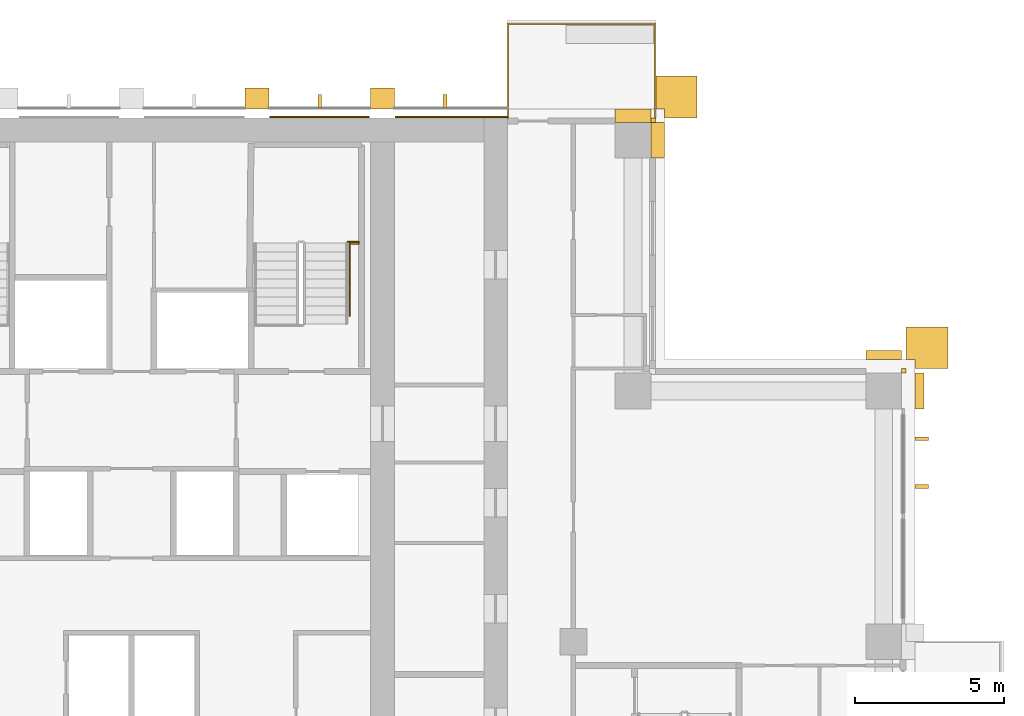
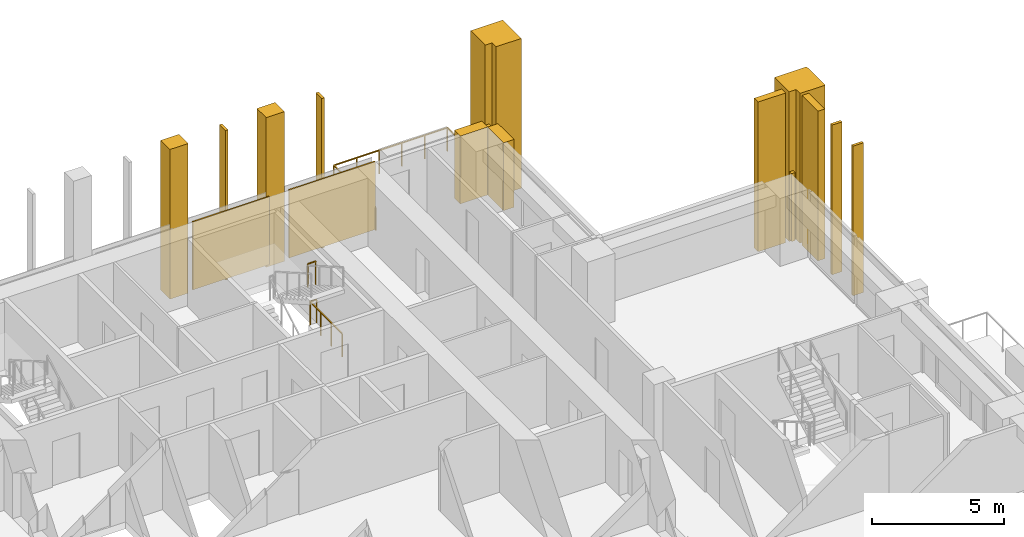
# One storey, part 19 of 19: 16 coverings, 3 railings.
"""IFC4 building model written with IfcOpenShell, lengths in metres."""

from ifc_helpers import new_model, si_unit, direction, frame, origin, origin_2d, place, context, subcontext, project, spatial, polyline, rectangle, outline, extrude, material, layer, layer_set, type_object, element, save


model = new_model("IFC4")

# Units and contexts
model_context = context("Model", 3, precision=1e-05, world=origin(), true_north=direction((0.0, 1.0)))
body_context = subcontext(model_context, "Body", "Model", "MODEL_VIEW")
ifc_project = project(units=[si_unit("LENGTHUNIT", "METRE"), si_unit("AREAUNIT", "SQUARE_METRE"), si_unit("VOLUMEUNIT", "CUBIC_METRE"), si_unit("PLANEANGLEUNIT", "RADIAN"), si_unit("MASSUNIT", "GRAM", prefix="KILO")], contexts=[model_context])

# Site, building, storey
site_placement = place(None, origin())
site = spatial("IfcSite", under=ifc_project, at=site_placement, CompositionType="ELEMENT")
building_placement = place(site_placement, origin())
building = spatial("IfcBuilding", under=site, at=building_placement, Name="Vermilion Ogive Tower", CompositionType="ELEMENT")
storey_placement = place(building_placement, frame((0.0, 0.0, 104.550048828125)))
storey = spatial("IfcBuildingStorey", under=building, at=storey_placement, Name="L26", CompositionType="ELEMENT", Elevation=104.550048828125)

# Railing
ifc_material_1 = material(Name="Stainless steel and glass", Category="steel")
railing_type_1 = type_object("IfcRailingType", Name="Balcony guard", PredefinedType="GUARDRAIL", material=ifc_material_1)
railing_1_placement = place(storey_placement, frame((17.550048828125, 21.75, -0.0400390625)))
element("IfcRailing", 1, at=railing_1_placement, inside=storey, type_object=railing_type_1, Name="Guard N101", PredefinedType="GUARDRAIL", context=body_context, shape_type="SweptSolid", body=[
    extrude(rectangle(XDim=0.048095703125, YDim=0.048095703125, at=origin_2d()), frame((0.0, 0.0, 1.076171875), z_axis=(0.0, 1.0, 0.0), x_axis=(-1.0, 0.0, 0.0)), (0.0, 0.0, 1.0), 3.159912109375),
    extrude(rectangle(XDim=0.048095703125, YDim=0.048095703125, at=origin_2d()), frame((0.0, 3.159912109375, 1.076171875), z_axis=(-1.0, 0.0, 0.0), x_axis=(0.0, -1.0, 0.0)), (0.0, 0.0, 1.0), 4.949951171875),
    extrude(rectangle(XDim=0.048095703125, YDim=0.048095703125, at=origin_2d()), frame((-4.949951171875, 3.159912109375, 1.076171875), z_axis=(0.0, -1.0, 0.0), x_axis=(1.0, 0.0, 0.0)), (0.0, 0.0, 1.0), 3.159912109375),
    extrude(rectangle(XDim=0.0419921875, YDim=0.0419921875, at=origin_2d()), origin(), (0.0, 0.0, 1.0), 1.052001953125),
    extrude(rectangle(XDim=0.0419921875, YDim=0.0419921875, at=origin_2d()), frame((0.0, 1.05322265625, 0.0)), (0.0, 0.0, 1.0), 1.052001953125),
    extrude(rectangle(XDim=0.0419921875, YDim=0.0419921875, at=origin_2d()), frame((0.0, 2.106689453125, 0.0)), (0.0, 0.0, 1.0), 1.052001953125),
    extrude(rectangle(XDim=0.0419921875, YDim=0.0419921875, at=origin_2d()), frame((0.0, 3.159912109375, 0.0)), (0.0, 0.0, 1.0), 1.052001953125),
    extrude(rectangle(XDim=0.0419921875, YDim=0.0419921875, at=origin_2d()), frame((-0.989990234375, 3.159912109375, 0.0)), (0.0, 0.0, 1.0), 1.052001953125),
    extrude(rectangle(XDim=0.0419921875, YDim=0.0419921875, at=origin_2d()), frame((-1.97998046875, 3.159912109375, 0.0)), (0.0, 0.0, 1.0), 1.052001953125),
    extrude(rectangle(XDim=0.0419921875, YDim=0.0419921875, at=origin_2d()), frame((-2.969970703125, 3.159912109375, 0.0)), (0.0, 0.0, 1.0), 1.052001953125),
    extrude(rectangle(XDim=0.0419921875, YDim=0.0419921875, at=origin_2d()), frame((-3.9599609375, 3.159912109375, 0.0)), (0.0, 0.0, 1.0), 1.052001953125),
    extrude(rectangle(XDim=0.0419921875, YDim=0.0419921875, at=origin_2d()), frame((-4.949951171875, 3.159912109375, 0.0)), (0.0, 0.0, 1.0), 1.052001953125),
    extrude(rectangle(XDim=0.0419921875, YDim=0.0419921875, at=origin_2d()), frame((-4.949951171875, 2.106689453125, 0.0)), (0.0, 0.0, 1.0), 1.052001953125),
    extrude(rectangle(XDim=0.0419921875, YDim=0.0419921875, at=origin_2d()), frame((-4.949951171875, 1.05322265625, 0.0)), (0.0, 0.0, 1.0), 1.052001953125),
    extrude(rectangle(XDim=0.0419921875, YDim=0.0419921875, at=origin_2d()), frame((-4.949951171875, 0.0, 0.0)), (0.0, 0.0, 1.0), 1.052001953125),
])

# Coverings
ifc_material_2 = material(Name="Glazed ceramic screen")
ifc_layer = layer(ifc_material_2, 0.14990234375)
ifc_layer_set = layer_set([ifc_layer], Name="Ceramic solar screen fin")
covering_type_1 = type_object("IfcCoveringType", Name="Ceramic solar screen fin", PredefinedType="CLADDING", material=ifc_layer_set)
covering_1_placement = place(storey_placement, frame((0.0, 0.0, -0.320068359375)))
element("IfcCovering", 2, at=covering_1_placement, inside=storey, type_object=covering_type_1, Name="Solar screen blade E021", PredefinedType="CLADDING", context=body_context, shape_type="SweptSolid", body=[
    extrude(outline(polyline([(26.699951171875, 9.340087890625), (26.699951171875, 9.4599609375), (26.25, 9.4599609375), (26.25, 9.340087890625), (26.699951171875, 9.340087890625)])), origin(), (0.0, 0.0, 1.0), 6.89990234375),
])
covering_2_placement = place(storey_placement, frame((0.0, 0.0, -0.320068359375)))
element("IfcCovering", 3, at=covering_2_placement, inside=storey, type_object=covering_type_1, Name="Solar screen blade E022", PredefinedType="CLADDING", context=body_context, shape_type="SweptSolid", body=[
    extrude(outline(polyline([(26.699951171875, 10.93994140625), (26.699951171875, 11.06005859375), (26.25, 11.06005859375), (26.25, 10.93994140625), (26.699951171875, 10.93994140625)])), origin(), (0.0, 0.0, 1.0), 6.89990234375),
])
covering_3_placement = place(storey_placement, frame((0.0, 0.0, -0.320068359375)))
element("IfcCovering", 4, at=covering_3_placement, inside=storey, type_object=covering_type_1, Name="Solar screen blade N5", PredefinedType="CLADDING", context=body_context, shape_type="SweptSolid", body=[
    extrude(outline(polyline([(6.239990234375, 22.08203125), (6.360107421875, 22.08203125), (6.360107421875, 22.531982421875), (6.239990234375, 22.531982421875), (6.239990234375, 22.08203125)])), origin(), (0.0, 0.0, 1.0), 6.89990234375),
])
covering_4_placement = place(storey_placement, frame((0.0, 0.0, -0.320068359375)))
element("IfcCovering", 5, at=covering_4_placement, inside=storey, type_object=covering_type_1, Name="Solar screen blade N6", PredefinedType="CLADDING", context=body_context, shape_type="SweptSolid", body=[
    extrude(outline(polyline([(10.43994140625, 22.08203125), (10.56005859375, 22.08203125), (10.56005859375, 22.531982421875), (10.43994140625, 22.531982421875), (10.43994140625, 22.08203125)])), origin(), (0.0, 0.0, 1.0), 6.89990234375),
])

# Railings
ifc_material_3 = material(Name="Steel S355 painted", Category="steel")
railing_type_2 = type_object("IfcRailingType", Name="Stair guard 1100", PredefinedType="GUARDRAIL", material=ifc_material_3)
railing_2_placement = place(storey_placement, frame((7.25, 17.60009765625, 1.724853515625)))
element("IfcRailing", 6, at=railing_2_placement, inside=storey, type_object=railing_type_2, Name="L26 landing guard", PredefinedType="GUARDRAIL", context=body_context, shape_type="SweptSolid", body=[
    extrude(rectangle(XDim=0.048095703125, YDim=0.048095703125, at=origin_2d()), frame((0.0, 0.0, 1.076171875), z_axis=(1.0, 0.0, 0.0), x_axis=(0.0, 1.0, 0.0)), (0.0, 0.0, 1.0), 0.35009765625),
    extrude(rectangle(XDim=0.0419921875, YDim=0.0419921875, at=origin_2d()), origin(), (0.0, 0.0, 1.0), 1.052001953125),
    extrude(rectangle(XDim=0.0419921875, YDim=0.0419921875, at=origin_2d()), frame((0.35009765625, 0.0, 0.0)), (0.0, 0.0, 1.0), 1.052001953125),
])
railing_3_placement = place(storey_placement, frame((7.599609375, 17.54296875, 0.0)))
element("IfcRailing", 7, at=railing_3_placement, inside=storey, type_object=railing_type_2, Name="L26 stair opening guard", PredefinedType="GUARDRAIL", context=body_context, shape_type="SweptSolid", body=[
    extrude(rectangle(XDim=0.048095703125, YDim=0.048095703125, at=origin_2d()), frame((0.0, 0.0, 1.076171875), z_axis=(-1.0, 0.0, 0.0), x_axis=(0.0, -1.0, 0.0)), (0.0, 0.0, 1.0), 0.2900390625),
    extrude(rectangle(XDim=0.048095703125, YDim=0.048095703125, at=origin_2d()), frame((-0.2900390625, 0.0, 1.076171875), z_axis=(0.0, -1.0, 0.0), x_axis=(1.0, 0.0, 0.0)), (0.0, 0.0, 1.0), 2.42431640625),
    extrude(rectangle(XDim=0.0419921875, YDim=0.0419921875, at=origin_2d()), origin(), (0.0, 0.0, 1.0), 1.052001953125),
    extrude(rectangle(XDim=0.0419921875, YDim=0.0419921875, at=origin_2d()), frame((-0.2900390625, 0.0, 0.0)), (0.0, 0.0, 1.0), 1.052001953125),
    extrude(rectangle(XDim=0.0419921875, YDim=0.0419921875, at=origin_2d()), frame((-0.2900390625, -0.80810546875, 0.0)), (0.0, 0.0, 1.0), 1.052001953125),
    extrude(rectangle(XDim=0.0419921875, YDim=0.0419921875, at=origin_2d()), frame((-0.2900390625, -1.6162109375, 0.0)), (0.0, 0.0, 1.0), 1.052001953125),
    extrude(rectangle(XDim=0.0419921875, YDim=0.0419921875, at=origin_2d()), frame((-0.2900390625, -2.42431640625, 0.0)), (0.0, 0.0, 1.0), 1.052001953125),
])

# Coverings
ifc_material_4 = material(Name="Stone cladding", Category="masonry")
covering_type_2 = type_object("IfcCoveringType", Name="Stone buttress pier", PredefinedType="CLADDING", material=ifc_material_4)
covering_5_placement = place(storey_placement, frame((0.0, 0.0, -0.320068359375)))
element("IfcCovering", 8, at=covering_5_placement, inside=storey, type_object=covering_type_2, Name="Stone buttress pier N4", PredefinedType="CLADDING", context=body_context, shape_type="SweptSolid", body=[
    extrude(outline(polyline([(4.60009765625, 22.75), (4.60009765625, 22.050048828125), (3.800048828125, 22.050048828125), (3.800048828125, 22.75), (4.60009765625, 22.75)])), origin(), (0.0, 0.0, 1.0), 6.89990234375),
])
covering_6_placement = place(storey_placement, frame((0.0, 0.0, -0.320068359375)))
element("IfcCovering", 9, at=covering_6_placement, inside=storey, type_object=covering_type_2, Name="Stone buttress pier N5", PredefinedType="CLADDING", context=body_context, shape_type="SweptSolid", body=[
    extrude(outline(polyline([(8.800048828125, 22.75), (8.800048828125, 22.050048828125), (8.0, 22.050048828125), (8.0, 22.75), (8.800048828125, 22.75)])), origin(), (0.0, 0.0, 1.0), 6.89990234375),
])
ifc_material_5 = material(Name="Stone cladding", Category="masonry")
covering_type_3 = type_object("IfcCoveringType", Name="Stone cladding panel", PredefinedType="CLADDING", material=ifc_material_5)
covering_7_placement = place(storey_placement, origin())
element("IfcCovering", 10, at=covering_7_placement, inside=storey, type_object=covering_type_3, Name="Stone cladding panel N5", PredefinedType="CLADDING", context=body_context, shape_type="SweptSolid", body=[
    extrude(outline(polyline([(4.6298828125, 21.75), (7.969970703125, 21.75), (7.969970703125, 21.81005859375), (4.6298828125, 21.81005859375), (4.6298828125, 21.75)])), origin(), (0.0, 0.0, 1.0), 3.1298828125),
])
covering_8_placement = place(storey_placement, origin())
element("IfcCovering", 11, at=covering_8_placement, inside=storey, type_object=covering_type_3, Name="Stone cladding panel N6", PredefinedType="CLADDING", context=body_context, shape_type="SweptSolid", body=[
    extrude(outline(polyline([(8.830078125, 21.75), (12.590087890625, 21.75), (12.590087890625, 21.81005859375), (8.830078125, 21.81005859375), (8.830078125, 21.75)])), origin(), (0.0, 0.0, 1.0), 3.1298828125),
])
ifc_material_6 = material(Name="Stone cladding", Category="masonry")
covering_type_4 = type_object("IfcCoveringType", Name="Stone corner buttress", PredefinedType="CLADDING", material=ifc_material_6)
covering_9_placement = place(storey_placement, frame((0.0, 0.0, -0.320068359375)))
element("IfcCovering", 12, at=covering_9_placement, inside=storey, type_object=covering_type_4, Name="Stone corner buttress X31", PredefinedType="CLADDING", context=body_context, shape_type="SweptSolid", body=[
    extrude(outline(polyline([(26.25, 13.35009765625), (26.25, 13.64990234375), (25.949951171875, 13.64990234375), (25.949951171875, 14.75), (27.35009765625, 14.75), (27.35009765625, 13.35009765625), (26.25, 13.35009765625)])), origin(), (0.0, 0.0, 1.0), 6.89990234375),
])
covering_10_placement = place(storey_placement, frame((0.0, 0.0, -0.320068359375)))
element("IfcCovering", 13, at=covering_10_placement, inside=storey, type_object=covering_type_4, Name="Stone corner buttress N11", PredefinedType="CLADDING", context=body_context, shape_type="SweptSolid", body=[
    extrude(outline(polyline([(17.85009765625, 22.050048828125), (17.550048828125, 22.050048828125), (17.550048828125, 23.14990234375), (18.949951171875, 23.14990234375), (18.949951171875, 21.75), (17.85009765625, 21.75), (17.85009765625, 22.050048828125)])), origin(), (0.0, 0.0, 1.0), 6.89990234375),
])
ifc_material_7 = material(Name="Stone cladding", Category="masonry")
covering_type_5 = type_object("IfcCoveringType", Name="Stone pier", PredefinedType="CLADDING", material=ifc_material_7)
covering_11_placement = place(storey_placement, origin())
element("IfcCovering", 14, at=covering_11_placement, inside=storey, type_object=covering_type_5, Name="Stone corner pier EE1", PredefinedType="CLADDING", context=body_context, shape_type="SweptSolid", body=[
    extrude(outline(polyline([(25.949951171875, 13.199951171875), (25.800048828125, 13.199951171875), (25.800048828125, 13.35009765625), (25.949951171875, 13.35009765625), (25.949951171875, 13.199951171875)])), origin(), (0.0, 0.0, 1.0), 3.1298828125),
])
covering_12_placement = place(storey_placement, origin())
element("IfcCovering", 15, at=covering_12_placement, inside=storey, type_object=covering_type_5, Name="Stone corner pier X4E1", PredefinedType="CLADDING", context=body_context, shape_type="SweptSolid", body=[
    extrude(outline(polyline([(17.550048828125, 21.60009765625), (17.39990234375, 21.60009765625), (17.39990234375, 21.60009765625), (17.39990234375, 21.75), (17.550048828125, 21.75), (17.550048828125, 21.60009765625)])), origin(), (0.0, 0.0, 1.0), 3.1298828125),
])
covering_13_placement = place(storey_placement, frame((0.0, 0.0, -0.320068359375)))
element("IfcCovering", 16, at=covering_13_placement, inside=storey, type_object=covering_type_5, Name="Stone pier P+0252+126E", PredefinedType="CLADDING", context=body_context, shape_type="SweptSolid", body=[
    extrude(outline(polyline([(26.550048828125, 13.199951171875), (26.550048828125, 12.0), (26.25, 12.0), (26.25, 13.199951171875), (26.550048828125, 13.199951171875)])), origin(), (0.0, 0.0, 1.0), 6.89990234375),
])
covering_14_placement = place(storey_placement, frame((0.0, 0.0, -0.320068359375)))
element("IfcCovering", 17, at=covering_14_placement, inside=storey, type_object=covering_type_5, Name="Stone pier P+0252+126X3", PredefinedType="CLADDING", context=body_context, shape_type="SweptSolid", body=[
    extrude(outline(polyline([(25.800048828125, 13.949951171875), (25.800048828125, 13.64990234375), (24.60009765625, 13.64990234375), (24.60009765625, 13.949951171875), (25.800048828125, 13.949951171875)])), origin(), (0.0, 0.0, 1.0), 6.89990234375),
])
covering_15_placement = place(storey_placement, origin())
element("IfcCovering", 18, at=covering_15_placement, inside=storey, type_object=covering_type_5, Name="Stone pier P+0168+210X4", PredefinedType="CLADDING", context=body_context, shape_type="SweptSolid", body=[
    extrude(outline(polyline([(17.85009765625, 21.60009765625), (17.85009765625, 20.39990234375), (17.39990234375, 20.39990234375), (17.39990234375, 21.60009765625), (17.85009765625, 21.60009765625)])), origin(), (0.0, 0.0, 1.0), 3.1298828125),
])
covering_16_placement = place(storey_placement, origin())
element("IfcCovering", 19, at=covering_16_placement, inside=storey, type_object=covering_type_5, Name="Stone pier P+0168+210N1", PredefinedType="CLADDING", context=body_context, shape_type="SweptSolid", body=[
    extrude(outline(polyline([(17.39990234375, 22.050048828125), (17.39990234375, 21.60009765625), (16.199951171875, 21.60009765625), (16.199951171875, 22.050048828125), (17.39990234375, 22.050048828125)])), origin(), (0.0, 0.0, 1.0), 3.1298828125),
])

save(model, "model.ifc")
